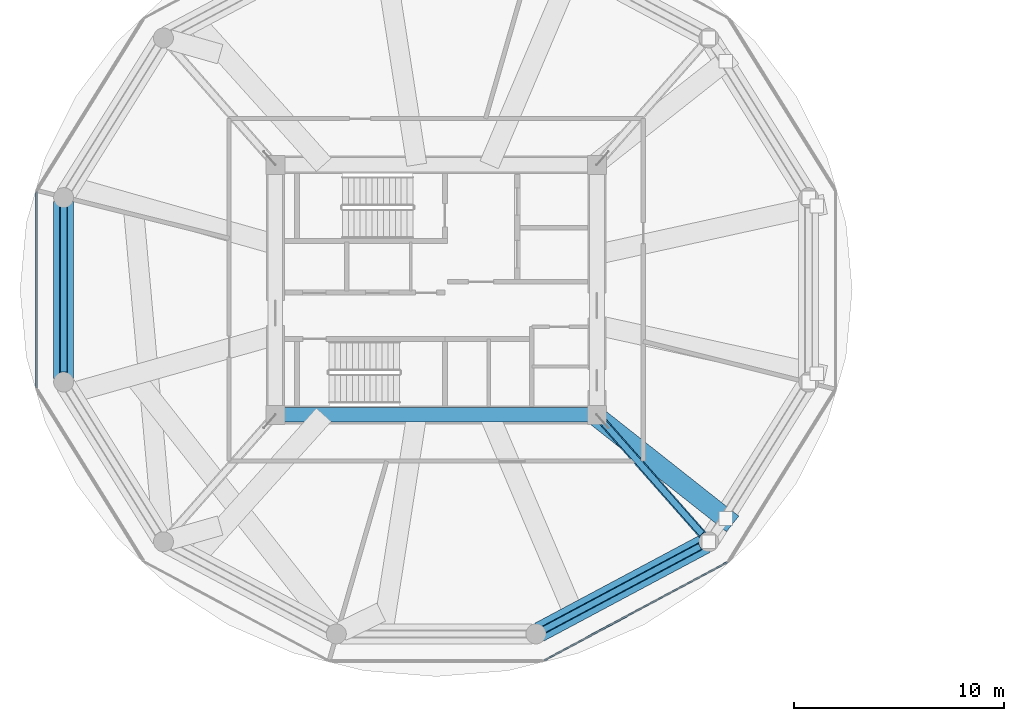
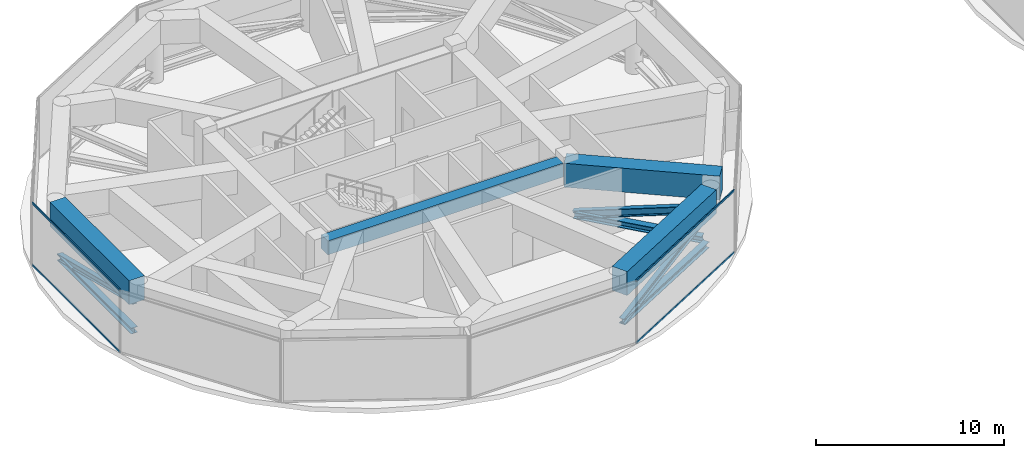
# One storey, part 3 of 22: 10 members, 4 beams, 2 elements without a shape of their own.
"""IFC4 building model written with IfcOpenShell, lengths in metres."""

from ifc_helpers import new_model, si_unit, direction, frame, origin, origin_2d, place, context, subcontext, project, spatial, rectangle, i_section, extrude, source, transform, mapped, material, layer, layer_set, material_profile, profile_set, type_object, type_shapes, element, aggregate, save


model = new_model("IFC4")

# Units and contexts
model_context = context("Model", 3, precision=1e-05, world=origin(), true_north=direction((0.0, 1.0)))
body_context = subcontext(model_context, "Body", "Model", "MODEL_VIEW")
ifc_project = project(units=[si_unit("LENGTHUNIT", "METRE"), si_unit("AREAUNIT", "SQUARE_METRE"), si_unit("VOLUMEUNIT", "CUBIC_METRE"), si_unit("PLANEANGLEUNIT", "RADIAN"), si_unit("MASSUNIT", "GRAM", prefix="KILO")], contexts=[model_context])

# Site, building, storey
site_placement = place(None, origin())
site = spatial("IfcSite", under=ifc_project, at=site_placement, CompositionType="ELEMENT")
building_placement = place(site_placement, origin())
building = spatial("IfcBuilding", under=site, at=building_placement, Name="Norrkilde Senior Care Towers", CompositionType="ELEMENT")
storey_placement = place(building_placement, frame((0.0, 0.0, 73.449951171875)))
storey = spatial("IfcBuildingStorey", under=building, at=storey_placement, Name="L22", CompositionType="ELEMENT", Elevation=73.449951171875)

# Beams
ifc_material_1 = material(Name="Concrete C60/75", Category="concrete")
ifc_material_profile_1 = material_profile(ifc_material_1, rectangle(XDim=0.699951171875, YDim=0.89990234375, at=origin_2d()), Name="RC BM 700x900")
ifc_profile_set_1 = profile_set([ifc_material_profile_1], Name="Concrete C60/75")
beam_type_1 = type_object("IfcBeamType", Name="Core Coupling Girder 700x900", PredefinedType="USERDEFINED", material=ifc_profile_set_1)
shared_shape_1 = source(origin(), body_context, "Body", "SweptSolid", [
    extrude(rectangle(XDim=0.699951171875, YDim=0.89990234375, at=origin_2d()), origin(), (0.0, 0.0, 1.0), 14.43994140625),
])
type_shapes(beam_type_1, [shared_shape_1])
beam_1_placement = place(storey_placement, frame((-35.219970703125, -5.949951171875, 3.630126953125), z_axis=(1.0, 0.0, 0.0), x_axis=(0.0, 1.0, 0.0)))
element("IfcBeam", 1, at=beam_1_placement, inside=storey, type_object=beam_type_1, Name="L22 Core W S Coupling Girder", ObjectType="GIRDER", PredefinedType="USERDEFINED", context=body_context, shape_type="MappedRepresentation", body=[
    mapped(shared_shape_1, transform((0.0, 0.0, 0.0), x_axis=(1.0, 0.0, 0.0), y_axis=(0.0, 1.0, 0.0), z_axis=(0.0, 0.0, 1.0), scale=1.0)),
])
ifc_material_profile_2 = material_profile(ifc_material_1, rectangle(XDim=0.949951171875, YDim=1.550048828125, at=origin_2d()), Name="RC TG 950x1550")
ifc_profile_set_2 = profile_set([ifc_material_profile_2], Name="Concrete C60/75")
beam_type_2 = type_object("IfcBeamType", Name="Transfer Girder Zone Shift 950x1550", PredefinedType="USERDEFINED", material=ifc_profile_set_2)
shared_shape_2 = source(origin(), body_context, "Body", "SweptSolid", [
    extrude(rectangle(XDim=0.949951171875, YDim=1.550048828125, at=origin_2d()), origin(), (0.0, 0.0, 1.0), 8.962890625),
])
beam_2_placement = place(storey_placement, frame((-23.091796875, -16.287841796875, 3.304931640625), z_axis=(0.882355957252, 0.470582580109, 0.0), x_axis=(-0.470582580109, 0.882355957252, 0.0)))
element("IfcBeam", 2, at=beam_2_placement, inside=storey, type_object=beam_type_2, Name="L22 Drum W Zone Ring Transfer Girder 10", ObjectType="GIRDER", PredefinedType="USERDEFINED", context=body_context, shape_type="MappedRepresentation", body=[
    mapped(shared_shape_2, transform((0.0, 0.0, 0.0), x_axis=(1.0, 0.0, 0.0), y_axis=(0.0, 1.0, 0.0), z_axis=(0.0, 0.0, 1.0), scale=1.0)),
])
shared_shape_3 = source(origin(), body_context, "Body", "SweptSolid", [
    extrude(rectangle(XDim=0.949951171875, YDim=1.550048828125, at=origin_2d()), origin(), (0.0, 0.0, 1.0), 8.4140625),
])
beam_3_placement = place(storey_placement, frame((-45.724853515625, 4.20703125, 3.304931640625), z_axis=(0.0, -1.0, 0.0), x_axis=(1.0, 0.0, 0.0)))
element("IfcBeam", 3, at=beam_3_placement, inside=storey, type_object=beam_type_2, Name="L22 Drum W Zone Ring Transfer Girder 06", ObjectType="GIRDER", PredefinedType="USERDEFINED", context=body_context, shape_type="MappedRepresentation", body=[
    mapped(shared_shape_3, transform((0.0, 0.0, 0.0), x_axis=(1.0, 0.0, 0.0), y_axis=(0.0, 1.0, 0.0), z_axis=(0.0, 0.0, 1.0), scale=1.0)),
])
shared_shape_4 = source(origin(), body_context, "Body", "SweptSolid", [
    extrude(rectangle(XDim=0.949951171875, YDim=1.550048828125, at=origin_2d()), origin(), (0.0, 0.0, 1.0), 8.37060546875),
])
type_shapes(beam_type_2, [shared_shape_2, shared_shape_3, shared_shape_4])
beam_4_placement = place(storey_placement, frame((-20.463623046875, -5.949951171875, 3.304931640625), z_axis=(0.784864847348, -0.619666984272, 0.0), x_axis=(0.619666984272, 0.784864847348, 0.0)))
element("IfcBeam", 4, at=beam_4_placement, inside=storey, type_object=beam_type_2, Name="L22 Drum W Zone Transfer Girder 11", ObjectType="GIRDER", PredefinedType="USERDEFINED", context=body_context, shape_type="MappedRepresentation", body=[
    mapped(shared_shape_4, transform((0.0, 0.0, 0.0), x_axis=(1.0, 0.0, 0.0), y_axis=(0.0, 1.0, 0.0), z_axis=(0.0, 0.0, 1.0), scale=1.0)),
])

# Members
ifc_material_2 = material(Name="Steel S355", Category="steel")
ifc_material_profile_3 = material_profile(ifc_material_2, i_section(OverallWidth=0.3740234375, OverallDepth=0.386962890625, WebThickness=0.01611328125, FlangeThickness=0.027099609375, FilletRadius=0.014892578125, at=origin_2d()), Name="HD 360x262")
ifc_profile_set_3 = profile_set([ifc_material_profile_3], Name="Steel S355")
member_type_1 = type_object("IfcMemberType", Name="Belt Truss Ring Chord HD360x262", PredefinedType="CHORD", material=ifc_profile_set_3)
shared_shape_5 = source(origin(), body_context, "Body", "SweptSolid", [
    extrude(i_section(OverallWidth=0.3740234375, OverallDepth=0.386962890625, WebThickness=0.01611328125, FlangeThickness=0.027099609375, FilletRadius=0.014892578125, at=origin_2d()), origin(), (0.0, 0.0, 1.0), 8.452880859375),
])
member_1_placement = place(storey_placement, frame((-22.866943359375, -16.167724609375, 0.550048828125), z_axis=(0.882368931134, 0.470558252898, 0.0), x_axis=(-0.470558252898, 0.882368931134, 0.0)))
element("IfcMember", 5, at=member_1_placement, inside=storey, type_object=member_type_1, Name="L22 Drum W Belt Truss Bottom Chord 10", PredefinedType="CHORD", context=body_context, shape_type="MappedRepresentation", body=[
    mapped(shared_shape_5, transform((0.0, 0.0, 0.0), x_axis=(1.0, 0.0, 0.0), y_axis=(0.0, 1.0, 0.0), z_axis=(0.0, 0.0, 1.0), scale=1.0)),
])
ifc_material_profile_4 = material_profile(ifc_material_2, i_section(OverallWidth=0.300048828125, OverallDepth=0.39990234375, WebThickness=0.013427734375, FlangeThickness=0.02392578125, FilletRadius=0.027099609375, at=origin_2d()), Name="HEB 400")
ifc_profile_set_4 = profile_set([ifc_material_profile_4], Name="Steel S355")
member_type_2 = type_object("IfcMemberType", Name="Belt Truss Diagonal HEB400", PredefinedType="BRACE", material=ifc_profile_set_4)
shared_shape_6 = source(origin(), body_context, "Body", "SweptSolid", [
    extrude(i_section(OverallWidth=0.300048828125, OverallDepth=0.39990234375, WebThickness=0.013427734375, FlangeThickness=0.02392578125, FilletRadius=0.027099609375, at=origin_2d()), origin(), (0.0, 0.0, 1.0), 8.67041015625),
])
member_2_placement = place(storey_placement, frame((-22.866943359375, -16.167724609375, 0.550048828125), z_axis=(0.860232119374, 0.458752919438, 0.222590340545), x_axis=(-0.470558252898, 0.882368931134, 0.0)))
element("IfcMember", 6, at=member_2_placement, inside=storey, type_object=member_type_2, Name="L22 Drum W Belt Truss Diagonal 10", PredefinedType="BRACE", context=body_context, shape_type="MappedRepresentation", body=[
    mapped(shared_shape_6, transform((0.0, 0.0, 0.0), x_axis=(1.0, 0.0, 0.0), y_axis=(0.0, 1.0, 0.0), z_axis=(0.0, 0.0, 1.0), scale=1.0)),
])
shared_shape_7 = source(origin(), body_context, "Body", "SweptSolid", [
    extrude(i_section(OverallWidth=0.3740234375, OverallDepth=0.386962890625, WebThickness=0.01611328125, FlangeThickness=0.027099609375, FilletRadius=0.014892578125, at=origin_2d()), origin(), (0.0, 0.0, 1.0), 7.90380859375),
])
type_shapes(member_type_1, [shared_shape_5, shared_shape_7])
member_3_placement = place(storey_placement, frame((-45.724853515625, 3.951904296875, 0.550048828125), z_axis=(0.0, -1.0, 0.0), x_axis=(1.0, 0.0, 0.0)))
element("IfcMember", 7, at=member_3_placement, inside=storey, type_object=member_type_1, Name="L22 Drum W Belt Truss Bottom Chord 06", PredefinedType="CHORD", context=body_context, shape_type="MappedRepresentation", body=[
    mapped(shared_shape_7, transform((0.0, 0.0, 0.0), x_axis=(1.0, 0.0, 0.0), y_axis=(0.0, 1.0, 0.0), z_axis=(0.0, 0.0, 1.0), scale=1.0)),
])
shared_shape_8 = source(origin(), body_context, "Body", "SweptSolid", [
    extrude(i_section(OverallWidth=0.300048828125, OverallDepth=0.39990234375, WebThickness=0.013427734375, FlangeThickness=0.02392578125, FilletRadius=0.027099609375, at=origin_2d()), origin(), (0.0, 0.0, 1.0), 8.135986328125),
])
type_shapes(member_type_2, [shared_shape_6, shared_shape_8])
member_4_placement = place(storey_placement, frame((-45.724853515625, 3.951904296875, 0.550048828125), z_axis=(0.0, -0.971458808633, 0.237208311677), x_axis=(1.0, 0.0, 0.0)))
element("IfcMember", 8, at=member_4_placement, inside=storey, type_object=member_type_2, Name="L22 Drum W Belt Truss Diagonal 06", PredefinedType="BRACE", context=body_context, shape_type="MappedRepresentation", body=[
    mapped(shared_shape_8, transform((0.0, 0.0, 0.0), x_axis=(1.0, 0.0, 0.0), y_axis=(0.0, 1.0, 0.0), z_axis=(0.0, 0.0, 1.0), scale=1.0)),
])
ifc_material_profile_5 = material_profile(ifc_material_2, i_section(OverallWidth=0.402099609375, OverallDepth=0.419921875, WebThickness=0.02001953125, FlangeThickness=0.032958984375, FilletRadius=0.014892578125, at=origin_2d()), Name="HD 400x347")
ifc_profile_set_5 = profile_set([ifc_material_profile_5], Name="Steel S355")
member_type_3 = type_object("IfcMemberType", Name="Outrigger Truss Chord HD400x347", PredefinedType="CHORD", material=ifc_profile_set_5)
shared_shape_9 = source(origin(), body_context, "Body", "SweptSolid", [
    extrude(i_section(OverallWidth=0.402099609375, OverallDepth=0.419921875, WebThickness=0.02001953125, FlangeThickness=0.032958984375, FilletRadius=0.014892578125, at=origin_2d()), origin(), (0.0, 0.0, 1.0), 7.203857421875),
])
type_shapes(member_type_3, [shared_shape_9])
member_5_placement = place(storey_placement, frame((-20.07861328125, -6.25732421875, 0.550048828125), z_axis=(0.661603702805, -0.74985367935, 0.0), x_axis=(0.74985367935, 0.661603702805, 0.0)))
element("IfcMember", 9, at=member_5_placement, inside=storey, type_object=member_type_3, Name="L22 Drum W Outrigger Chord 2", PredefinedType="CHORD", context=body_context, shape_type="MappedRepresentation", body=[
    mapped(shared_shape_9, transform((0.0, 0.0, 0.0), x_axis=(1.0, 0.0, 0.0), y_axis=(0.0, 1.0, 0.0), z_axis=(0.0, 0.0, 1.0), scale=1.0)),
])
ifc_material_profile_6 = material_profile(ifc_material_2, i_section(OverallWidth=0.300048828125, OverallDepth=0.5, WebThickness=0.014404296875, FlangeThickness=0.028076171875, FilletRadius=0.027099609375, at=origin_2d()), Name="HEB 500")
ifc_profile_set_6 = profile_set([ifc_material_profile_6], Name="Steel S355")
member_type_4 = type_object("IfcMemberType", Name="Outrigger Truss Diagonal HEB500", PredefinedType="BRACE", material=ifc_profile_set_6)
shared_shape_10 = source(origin(), body_context, "Body", "SweptSolid", [
    extrude(i_section(OverallWidth=0.300048828125, OverallDepth=0.5, WebThickness=0.014404296875, FlangeThickness=0.028076171875, FilletRadius=0.027099609375, at=origin_2d()), origin(), (0.0, 0.0, 1.0), 7.4580078125),
])
type_shapes(member_type_4, [shared_shape_10])
member_6_placement = place(storey_placement, frame((-20.07861328125, -6.25732421875, 0.550048828125), z_axis=(0.639067688082, -0.724311631314, 0.258776256239), x_axis=(0.74985367935, 0.661603702805, 0.0)))
element("IfcMember", 10, at=member_6_placement, inside=storey, type_object=member_type_4, Name="L22 Drum W Outrigger Diagonal 2", PredefinedType="BRACE", context=body_context, shape_type="MappedRepresentation", body=[
    mapped(shared_shape_10, transform((0.0, 0.0, 0.0), x_axis=(1.0, 0.0, 0.0), y_axis=(0.0, 1.0, 0.0), z_axis=(0.0, 0.0, 1.0), scale=1.0)),
])

# Curtain wall, members
ifc_material_3 = material(Name="Triple Low-E Insulated Glazing", Category="glass")
ifc_layer = layer(ifc_material_3, 0.18505859375)
ifc_layer_set = layer_set([ifc_layer], Name="Triple Low-E Insulated Glazing")
curtain_wall_type = type_object("IfcCurtainWallType", Name="CW6 Zone 4 Crown Pavilion Curtain Wall", PredefinedType="NOTDEFINED", material=ifc_layer_set)
curtain_wall_1_placement = place(storey_placement, origin())
curtain_wall_1 = element("IfcCurtainWall", 11, at=curtain_wall_1_placement, inside=storey, type_object=curtain_wall_type, Name="L22 Drum W Curtain Wall 09", PredefinedType="NOTDEFINED")
ifc_material_4 = material(Name="Anodised Aluminium", Category="aluminium")
ifc_material_profile_7 = material_profile(ifc_material_4, rectangle(XDim=0.06494140625, YDim=0.1298828125, at=origin_2d()), Name="ALU TRAN 65x130")
ifc_profile_set_7 = profile_set([ifc_material_profile_7], Name="Anodised Aluminium")
member_type_5 = type_object("IfcMemberType", Name="Curtain Wall Transom Heavy 65x130", PredefinedType="USERDEFINED", material=ifc_profile_set_7)
shared_shape_11 = source(origin(), body_context, "Body", "SweptSolid", [
    extrude(rectangle(XDim=0.06494140625, YDim=0.1298828125, at=origin_2d()), origin(), (0.0, 0.0, 1.0), 9.870849609375),
])
member_7_placement = place(storey_placement, frame((-14.145751953125, -12.958984375, 0.032470703125), z_axis=(-0.881274347161, -0.472605041272, 0.0), x_axis=(0.472605041272, -0.881274347161, 0.0)))
member_7 = element("IfcMember", 12, at=member_7_placement, type_object=member_type_5, Name="CW-6 transom 1.1", ObjectType="TRANSOM", PredefinedType="USERDEFINED", context=body_context, shape_type="MappedRepresentation", body=[
    mapped(shared_shape_11, transform((0.0, 0.0, 0.0), x_axis=(1.0, 0.0, 0.0), y_axis=(0.0, 1.0, 0.0), z_axis=(0.0, 0.0, 1.0), scale=1.0)),
])
member_8_placement = place(storey_placement, frame((-14.145751953125, -12.958984375, 4.047607421875), z_axis=(-0.881274347161, -0.472605041272, 0.0), x_axis=(0.472605041272, -0.881274347161, 0.0)))
member_8 = element("IfcMember", 13, at=member_8_placement, type_object=member_type_5, Name="CW-6 transom 1.2", ObjectType="TRANSOM", PredefinedType="USERDEFINED", context=body_context, shape_type="MappedRepresentation", body=[
    mapped(shared_shape_11, transform((0.0, 0.0, 0.0), x_axis=(1.0, 0.0, 0.0), y_axis=(0.0, 1.0, 0.0), z_axis=(0.0, 0.0, 1.0), scale=1.0)),
])
aggregate(curtain_wall_1, [member_7, member_8])

curtain_wall_2_placement = place(storey_placement, origin())
curtain_wall_2 = element("IfcCurtainWall", 14, at=curtain_wall_2_placement, inside=storey, type_object=curtain_wall_type, Name="L22 Drum W Curtain Wall 05", PredefinedType="NOTDEFINED")
shared_shape_12 = source(origin(), body_context, "Body", "SweptSolid", [
    extrude(rectangle(XDim=0.06494140625, YDim=0.1298828125, at=origin_2d()), origin(), (0.0, 0.0, 1.0), 9.322265625),
])
type_shapes(member_type_5, [shared_shape_11, shared_shape_12])
member_9_placement = place(storey_placement, frame((-47.009521484375, -4.6611328125, 0.032470703125), z_axis=(0.0, 1.0, 0.0), x_axis=(-1.0, 0.0, 0.0)))
member_9 = element("IfcMember", 15, at=member_9_placement, type_object=member_type_5, Name="CW-6 transom 1.1", ObjectType="TRANSOM", PredefinedType="USERDEFINED", context=body_context, shape_type="MappedRepresentation", body=[
    mapped(shared_shape_12, transform((0.0, 0.0, 0.0), x_axis=(1.0, 0.0, 0.0), y_axis=(0.0, 1.0, 0.0), z_axis=(0.0, 0.0, 1.0), scale=1.0)),
])
member_10_placement = place(storey_placement, frame((-47.009521484375, -4.6611328125, 4.047607421875), z_axis=(0.0, 1.0, 0.0), x_axis=(-1.0, 0.0, 0.0)))
member_10 = element("IfcMember", 16, at=member_10_placement, type_object=member_type_5, Name="CW-6 transom 1.2", ObjectType="TRANSOM", PredefinedType="USERDEFINED", context=body_context, shape_type="MappedRepresentation", body=[
    mapped(shared_shape_12, transform((0.0, 0.0, 0.0), x_axis=(1.0, 0.0, 0.0), y_axis=(0.0, 1.0, 0.0), z_axis=(0.0, 0.0, 1.0), scale=1.0)),
])
aggregate(curtain_wall_2, [member_9, member_10])

save(model, "model.ifc")
